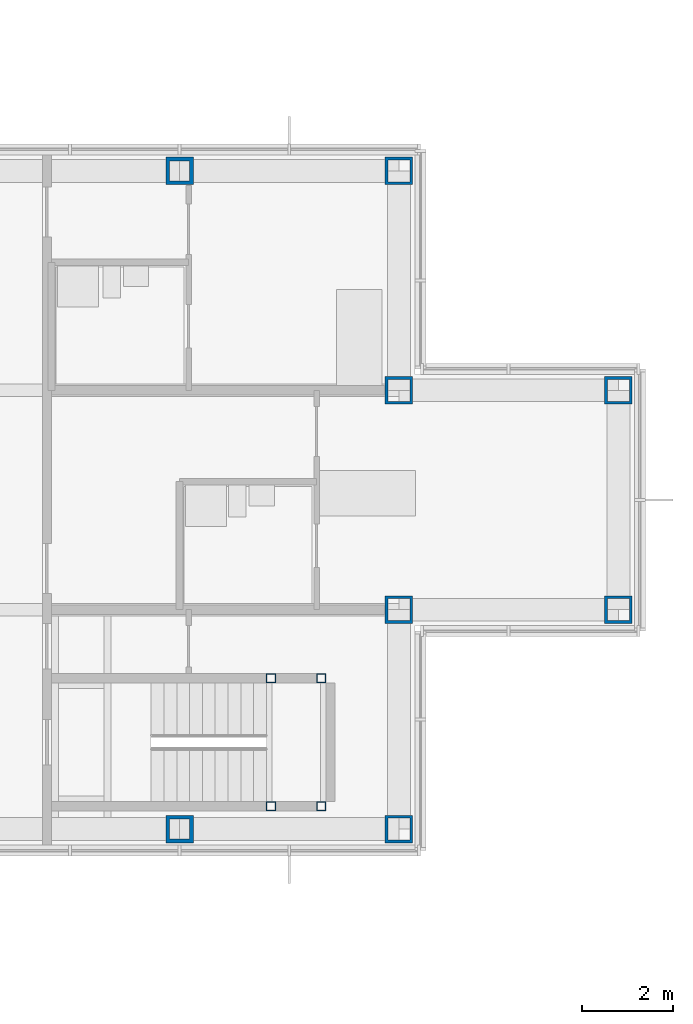
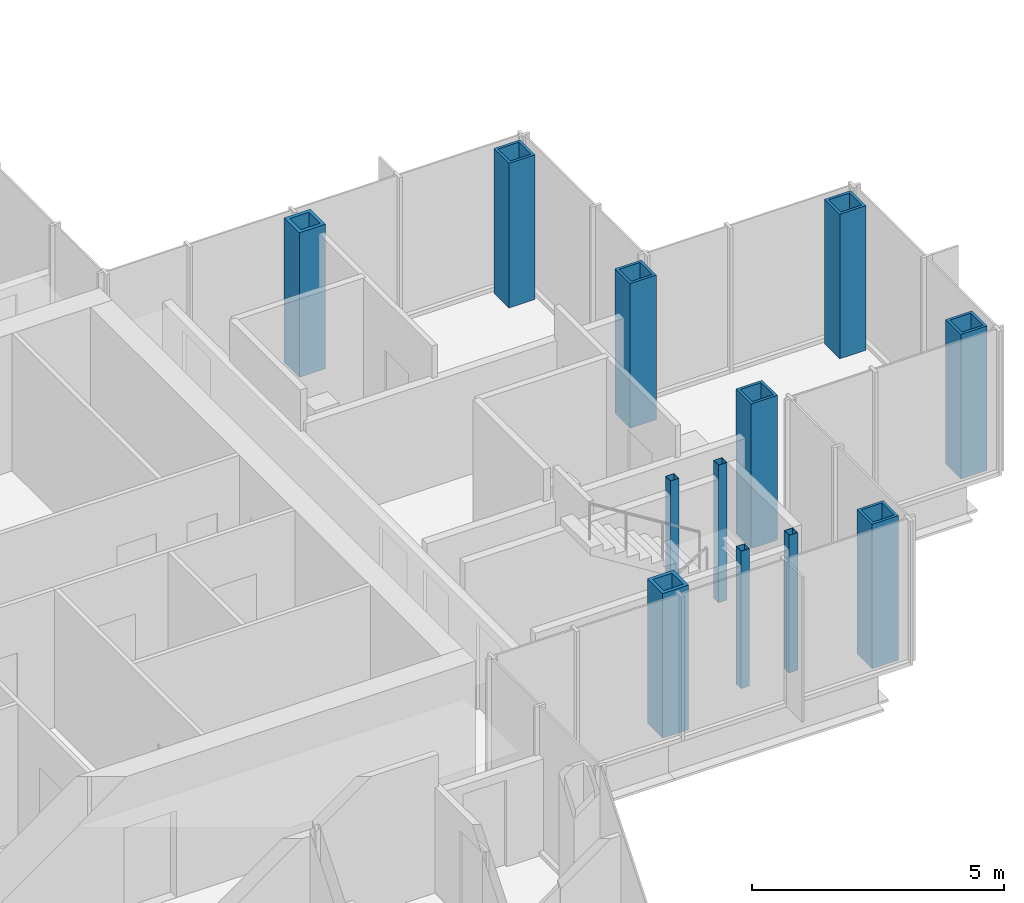
# One storey, part 4 of 17: 12 columns.
"""IFC4 building model written with IfcOpenShell, lengths in metres."""

from ifc_helpers import new_model, si_unit, direction, frame, origin, origin_2d, place, context, subcontext, project, spatial, hollow_rectangle, extrude, material, material_profile, profile_set, type_object, element, save


model = new_model("IFC4")

# Units and contexts
model_context = context("Model", 3, precision=1e-05, world=origin(), true_north=direction((0.0, 1.0)))
body_context = subcontext(model_context, "Body", "Model", "MODEL_VIEW")
ifc_project = project(units=[si_unit("LENGTHUNIT", "METRE"), si_unit("AREAUNIT", "SQUARE_METRE"), si_unit("VOLUMEUNIT", "CUBIC_METRE"), si_unit("PLANEANGLEUNIT", "RADIAN"), si_unit("MASSUNIT", "GRAM", prefix="KILO")], contexts=[model_context])

# Site, building, storey
site_placement = place(None, origin())
site = spatial("IfcSite", under=ifc_project, at=site_placement, CompositionType="ELEMENT")
building_placement = place(site_placement, origin())
building = spatial("IfcBuilding", under=site, at=building_placement, Name="Kvirike Care Tower", CompositionType="ELEMENT")
storey_placement = place(building_placement, frame((0.0, 0.0, 165.5)))
storey = spatial("IfcBuildingStorey", under=building, at=storey_placement, Name="L45", CompositionType="ELEMENT", Elevation=165.5)

# Columns
ifc_material_1 = material(Name="Steel S460", Category="steel")
ifc_material_profile_1 = material_profile(ifc_material_1, hollow_rectangle(XDim=0.60009765625, YDim=0.60009765625, WallThickness=0.06005859375, at=origin_2d()), Name="BX 600x600x60")
ifc_profile_set_1 = profile_set([ifc_material_profile_1], Name="Steel S460")
column_type_1 = type_object("IfcColumnType", Name="COLUMN BX 600x600x60", PredefinedType="COLUMN", material=ifc_profile_set_1)
for number, where, z_axis, x_axis, name in (
    (1, (38.39990234375, 28.800048828125, 0.0), (0.0, 0.0, 1.0), (0.0, 1.0, 0.0), "Column G11 L45"),
    (2, (38.39990234375, 33.60009765625, 0.0), (0.0, 0.0, 1.0), (0.0, 1.0, 0.0), "Column H11 L45"),
    (3, (38.39990234375, 38.39990234375, 0.0), (0.0, 0.0, 1.0), (0.0, 1.0, 0.0), "Column J11 L45"),
    (4, (38.39990234375, 43.199951171875, 0.0), (0.0, 0.0, 1.0), (0.0, 1.0, 0.0), "Column K11 L45"),
    (5, (43.199951171875, 33.60009765625, 0.0), (0.0, 0.0, 1.0), (0.0, 1.0, 0.0), "Column H12 L45"),
    (6, (43.199951171875, 38.39990234375, 0.0), (0.0, 0.0, 1.0), (0.0, 1.0, 0.0), "Column J12 L45"),
):
    element("IfcColumn", number, at=place(storey_placement, frame(where, z_axis=z_axis, x_axis=x_axis)), inside=storey, type_object=column_type_1, Name=name, PredefinedType="COLUMN", context=body_context, shape_type="SweptSolid", body=[
        extrude(hollow_rectangle(XDim=0.60009765625, YDim=0.60009765625, WallThickness=0.06005859375, at=origin_2d()), origin(), (0.0, 0.0, 1.0), 3.5),
    ])
ifc_material_2 = material(Name="Steel S460", Category="steel")
ifc_material_profile_2 = material_profile(ifc_material_2, hollow_rectangle(XDim=0.60009765625, YDim=0.60009765625, WallThickness=0.080078125, at=origin_2d()), Name="BX 600x600x80")
ifc_profile_set_2 = profile_set([ifc_material_profile_2], Name="Steel S460")
column_type_2 = type_object("IfcColumnType", Name="COLUMN BX 600x600x80", PredefinedType="COLUMN", material=ifc_profile_set_2)
for number, where, z_axis, x_axis, name in (
    (7, (33.60009765625, 28.800048828125, 0.0), (0.0, 0.0, 1.0), (0.0, 1.0, 0.0), "Column G10 L45"),
    (8, (33.60009765625, 43.199951171875, 0.0), (0.0, 0.0, 1.0), (0.0, 1.0, 0.0), "Column K10 L45"),
):
    element("IfcColumn", number, at=place(storey_placement, frame(where, z_axis=z_axis, x_axis=x_axis)), inside=storey, type_object=column_type_2, Name=name, PredefinedType="COLUMN", context=body_context, shape_type="SweptSolid", body=[
        extrude(hollow_rectangle(XDim=0.60009765625, YDim=0.60009765625, WallThickness=0.080078125, at=origin_2d()), origin(), (0.0, 0.0, 1.0), 3.5),
    ])
ifc_material_3 = material(Name="Steel S460", Category="steel")
ifc_material_profile_3 = material_profile(ifc_material_3, hollow_rectangle(XDim=0.199951171875, YDim=0.199951171875, WallThickness=0.008056640625, at=origin_2d()), Name="SHS 200x200x8")
ifc_profile_set_3 = profile_set([ifc_material_profile_3], Name="Steel S460")
column_type_3 = type_object("IfcColumnType", Name="STAIR POST SHS 200x200x8", PredefinedType="COLUMN", material=ifc_profile_set_3)
for number, where, z_axis, x_axis, name in (
    (9, (36.699951171875, 29.300048828125, 0.0), (0.0, 0.0, 1.0), (1.0, 0.0, 0.0), "Stair 2 post 1 L45"),
    (10, (36.699951171875, 32.10009765625, 0.0), (0.0, 0.0, 1.0), (1.0, 0.0, 0.0), "Stair 2 post 2 L45"),
    (11, (35.60009765625, 29.300048828125, 0.0), (0.0, 0.0, 1.0), (1.0, 0.0, 0.0), "Stair 2 post 3 L45"),
    (12, (35.60009765625, 32.10009765625, 0.0), (0.0, 0.0, 1.0), (1.0, 0.0, 0.0), "Stair 2 post 4 L45"),
):
    element("IfcColumn", number, at=place(storey_placement, frame(where, z_axis=z_axis, x_axis=x_axis)), inside=storey, type_object=column_type_3, Name=name, PredefinedType="COLUMN", context=body_context, shape_type="SweptSolid", body=[
        extrude(hollow_rectangle(XDim=0.199951171875, YDim=0.199951171875, WallThickness=0.008056640625, at=origin_2d()), origin(), (0.0, 0.0, 1.0), 3.330078125),
    ])

save(model, "model.ifc")
